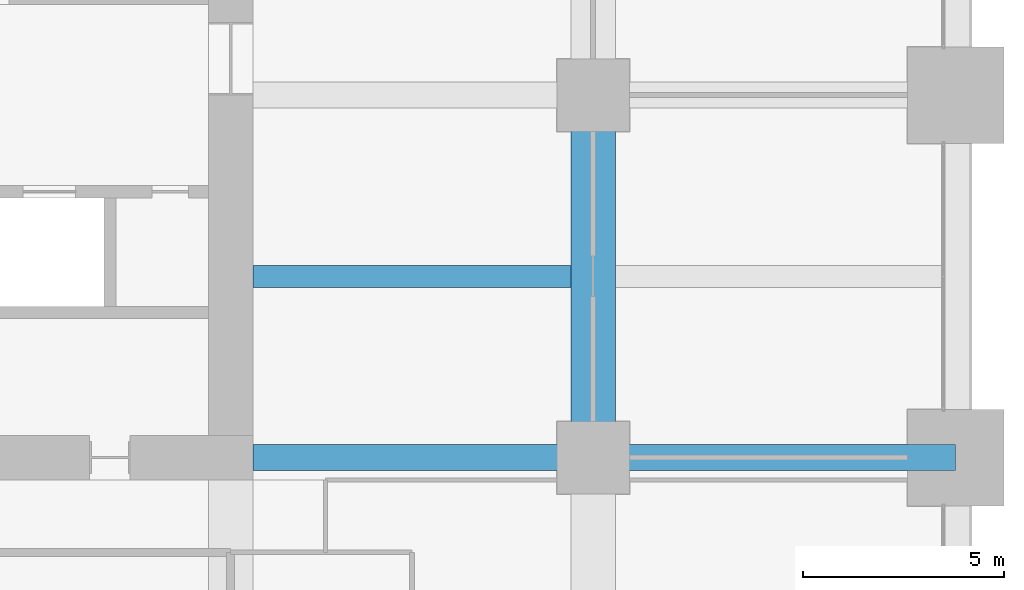
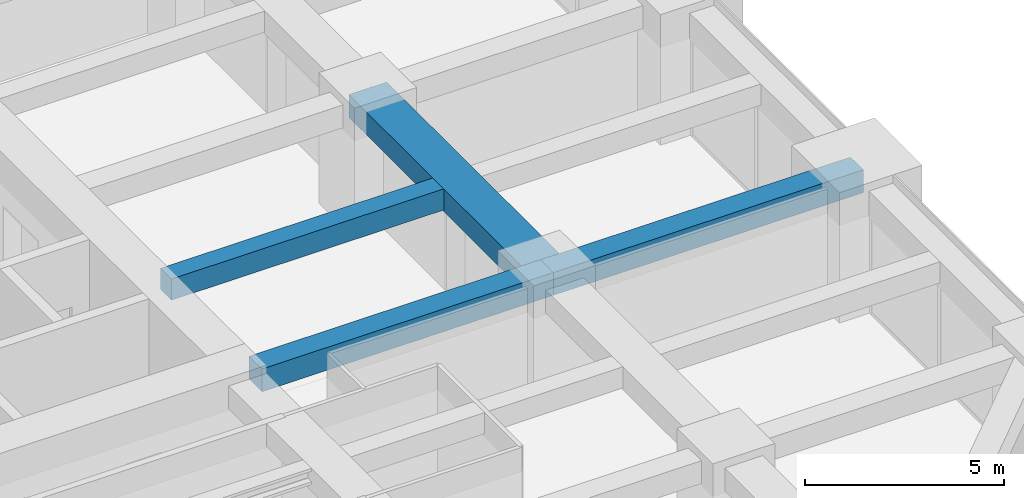
# One storey, part 20 of 40: 4 beams.
"""IFC4 building model written with IfcOpenShell, lengths in metres."""

from ifc_helpers import new_model, si_unit, direction, frame, origin, origin_2d, place, context, subcontext, project, spatial, rectangle, extrude, material, material_profile, profile_set, type_object, element, save


model = new_model("IFC4")

# Units and contexts
model_context = context("Model", 3, precision=1e-05, world=origin(), true_north=direction((0.0, 1.0)))
body_context = subcontext(model_context, "Body", "Model", "MODEL_VIEW")
ifc_project = project(units=[si_unit("LENGTHUNIT", "METRE"), si_unit("AREAUNIT", "SQUARE_METRE"), si_unit("VOLUMEUNIT", "CUBIC_METRE"), si_unit("PLANEANGLEUNIT", "RADIAN"), si_unit("MASSUNIT", "GRAM", prefix="KILO")], contexts=[model_context])

# Site, building, storey
site_placement = place(None, origin())
site = spatial("IfcSite", under=ifc_project, at=site_placement, CompositionType="ELEMENT")
building_placement = place(site_placement, origin())
building = spatial("IfcBuilding", under=site, at=building_placement, Name="Zorevar Civic Tower", CompositionType="ELEMENT")
storey_placement = place(building_placement, frame((0.0, 0.0, 133.0)))
storey = spatial("IfcBuildingStorey", under=building, at=storey_placement, Name="L32", CompositionType="ELEMENT", Elevation=133.0)

# Beams
ifc_material_1 = material(Name="Concrete C50/60", Category="concrete")
ifc_material_profile_1 = material_profile(ifc_material_1, rectangle(XDim=1.10009765625, YDim=0.699951171875, at=origin_2d()), Name="RC 1100x700")
ifc_profile_set_1 = profile_set([ifc_material_profile_1], Name="Concrete C50/60")
beam_type_1 = type_object("IfcBeamType", Name="Beam RC 1100x700", PredefinedType="BEAM", material=ifc_profile_set_1)
beam_1_placement = place(storey_placement, frame((54.0, 18.0, 3.39990234375), z_axis=(0.0, 1.0, 0.0), x_axis=(-1.0, 0.0, 0.0)))
element("IfcBeam", 1, at=beam_1_placement, inside=storey, type_object=beam_type_1, Name="Girder L33", PredefinedType="BEAM", context=body_context, shape_type="SweptSolid", body=[
    extrude(rectangle(XDim=1.10009765625, YDim=0.699951171875, at=origin_2d()), origin(), (0.0, 0.0, 1.0), 9.0),
])
ifc_material_2 = material(Name="Concrete C50/60", Category="concrete")
ifc_material_profile_2 = material_profile(ifc_material_2, rectangle(XDim=0.550048828125, YDim=0.64990234375, at=origin_2d()), Name="RC 550x650")
ifc_profile_set_2 = profile_set([ifc_material_profile_2], Name="Concrete C50/60")
beam_type_2 = type_object("IfcBeamType", Name="Beam RC 550x650", PredefinedType="BEAM", material=ifc_profile_set_2)
beam_2_placement = place(storey_placement, frame((45.550048828125, 22.5, 3.425048828125), z_axis=(1.0, 0.0, 0.0), x_axis=(0.0, 1.0, 0.0)))
element("IfcBeam", 2, at=beam_2_placement, inside=storey, type_object=beam_type_2, Name="Secondary beam L33", PredefinedType="BEAM", context=body_context, shape_type="SweptSolid", body=[
    extrude(rectangle(XDim=0.550048828125, YDim=0.64990234375, at=origin_2d()), origin(), (0.0, 0.0, 1.0), 7.89990234375),
])
ifc_material_3 = material(Name="Concrete C50/60", Category="concrete")
ifc_material_profile_3 = material_profile(ifc_material_3, rectangle(XDim=0.64990234375, YDim=0.699951171875, at=origin_2d()), Name="RC 650x700")
ifc_profile_set_3 = profile_set([ifc_material_profile_3], Name="Concrete C50/60")
beam_type_3 = type_object("IfcBeamType", Name="Beam RC 650x700", PredefinedType="BEAM", material=ifc_profile_set_3)
beam_3_placement = place(storey_placement, frame((45.550048828125, 18.0, 3.39990234375), z_axis=(1.0, 0.0, 0.0), x_axis=(0.0, 1.0, 0.0)))
element("IfcBeam", 3, at=beam_3_placement, inside=storey, type_object=beam_type_3, Name="Girder L33", PredefinedType="BEAM", context=body_context, shape_type="SweptSolid", body=[
    extrude(rectangle(XDim=0.64990234375, YDim=0.699951171875, at=origin_2d()), origin(), (0.0, 0.0, 1.0), 8.449951171875),
])
beam_4_placement = place(storey_placement, frame((54.0, 18.0, 3.39990234375), z_axis=(1.0, 0.0, 0.0), x_axis=(0.0, 1.0, 0.0)))
element("IfcBeam", 4, at=beam_4_placement, inside=storey, type_object=beam_type_3, Name="Girder L33", PredefinedType="BEAM", context=body_context, shape_type="SweptSolid", body=[
    extrude(rectangle(XDim=0.64990234375, YDim=0.699951171875, at=origin_2d()), origin(), (0.0, 0.0, 1.0), 9.0),
])

save(model, "model.ifc")
